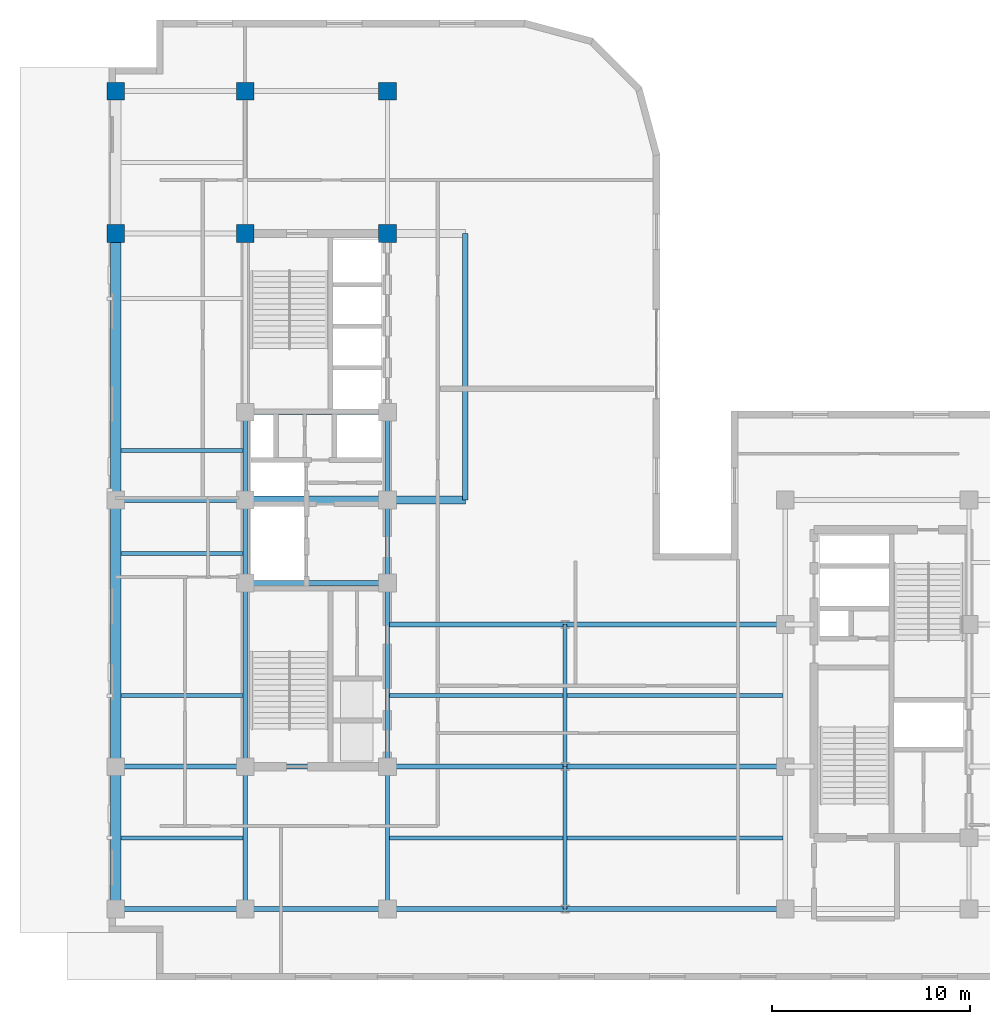
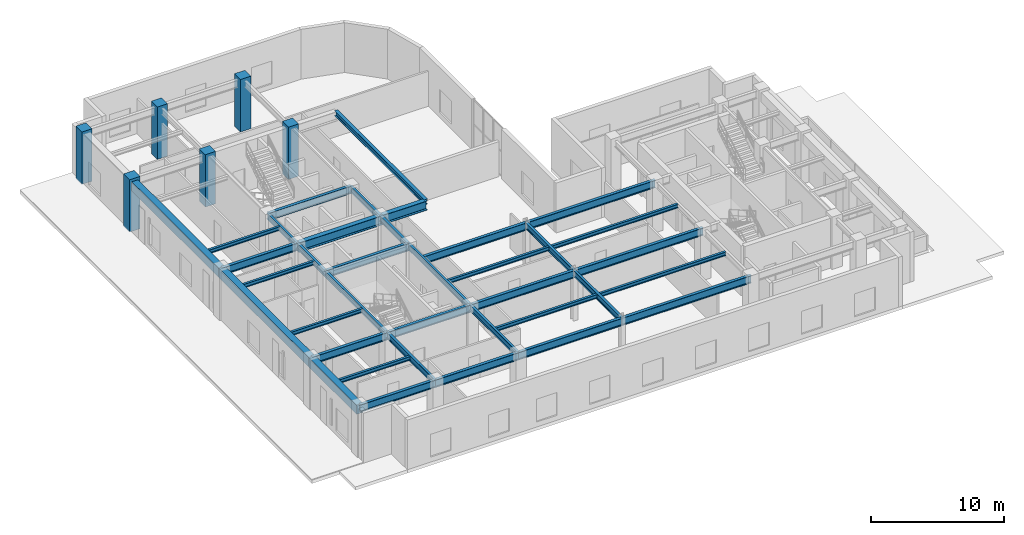
# One storey, part 2 of 16: 36 beams, 6 columns.
"""IFC4 building model written with IfcOpenShell, lengths in metres."""

from ifc_helpers import new_model, entity, si_unit, converted_unit, direction, frame, origin_with_axes, origin_2d_with_axis, place, context, subcontext, project, spatial, rectangle, i_section, extrude, material, material_profile, profile_set, type_object, element, save


model = new_model("IFC4")

# Units and contexts
model_context = context("Model", 3, precision=1e-05, world=origin_with_axes(), true_north=direction((0.0, 1.0)))
body_context = subcontext(model_context, "Body", "Model", "MODEL_VIEW")
ifc_project = project(units=[si_unit("LENGTHUNIT", "METRE"), si_unit("AREAUNIT", "SQUARE_METRE"), si_unit("VOLUMEUNIT", "CUBIC_METRE"), converted_unit("PLANEANGLEUNIT", "DEGREE", entity("IfcPlaneAngleMeasure", 0.017453292519943295), si_unit("PLANEANGLEUNIT", "RADIAN"), dimensions=[0, 0, 0, 0, 0, 0, 0]), si_unit("MASSUNIT", "GRAM", prefix="KILO"), si_unit("THERMODYNAMICTEMPERATUREUNIT", "KELVIN")], contexts=[model_context])

# Site, building, storey
site_placement = place(None, origin_with_axes())
site = spatial("IfcSite", under=ifc_project, at=site_placement, CompositionType="ELEMENT")
building_placement = place(site_placement, origin_with_axes())
building = spatial("IfcBuilding", under=site, at=building_placement, Name="Varnlund Millrace Tower", CompositionType="ELEMENT")
storey_placement = place(building_placement, frame((0.0, 0.0, 219.9), z_axis=(0.0, 0.0, 1.0), x_axis=(1.0, 0.0, 0.0)))
storey = spatial("IfcBuildingStorey", under=building, at=storey_placement, Name="L54", CompositionType="ELEMENT", Elevation=219.9)

# Columns
ifc_material_1 = material(Name="Concrete C70/85", Category="concrete")
ifc_material_profile_1 = material_profile(ifc_material_1, rectangle(XDim=0.9, YDim=0.9, at=origin_2d_with_axis()), Name="Concrete C70/85")
ifc_profile_set_1 = profile_set([ifc_material_profile_1], Name="Concrete C70/85")
column_type = type_object("IfcColumnType", Name="Type-Col-RC900-C70", PredefinedType="COLUMN", material=ifc_profile_set_1)
for number, where, z_axis, x_axis, name in (
    (1, (11.4, 37.8, 0.0), (0.0, 0.0, 1.0), (1.0, 0.0, 0.0), "Type-Col-RC900-C70"),
    (2, (11.4, 45.0, 0.0), (0.0, 0.0, 1.0), (1.0, 0.0, 0.0), "Type-Col-RC900-C70"),
    (3, (18.6, 37.8, 0.0), (0.0, 0.0, 1.0), (1.0, 0.0, 0.0), "Type-Col-RC900-C70"),
    (4, (18.6, 45.0, 0.0), (0.0, 0.0, 1.0), (1.0, 0.0, 0.0), "Type-Col-RC900-C70"),
    (5, (4.85, 37.8, 0.0), (0.0, 0.0, 1.0), (1.0, 0.0, 0.0), "Type-Col-RC900-C70"),
    (6, (4.85, 45.0, 0.0), (0.0, 0.0, 1.0), (1.0, 0.0, 0.0), "Type-Col-RC900-C70"),
):
    element("IfcColumn", number, at=place(storey_placement, frame(where, z_axis=z_axis, x_axis=x_axis)), inside=storey, type_object=column_type, Name=name, PredefinedType="COLUMN", context=body_context, shape_type="SweptSolid", body=[
        extrude(rectangle(XDim=0.9, YDim=0.9, at=origin_2d_with_axis()), origin_with_axes(), (0.0, 0.0, 1.0), 4.8),
    ])

# Beams
ifc_material_2 = material(Name="Steel ASTM A992 Grade 50", Category="steel")
ifc_material_profile_2 = material_profile(ifc_material_2, i_section(OverallWidth=0.28, OverallDepth=0.463, WebThickness=0.0108, FlangeThickness=0.0173, FilletRadius=0.015, at=origin_2d_with_axis()), Name="Steel ASTM A992 Grade 50")
ifc_profile_set_2 = profile_set([ifc_material_profile_2], Name="Steel ASTM A992 Grade 50")
beam_type_1 = type_object("IfcBeamType", Name="Type-Beam-W18X76", PredefinedType="BEAM", material=ifc_profile_set_2)
beam_1_placement = place(storey_placement, frame((22.55, 24.3, 4.3285), z_axis=(0.0, 1.0, 0.0), x_axis=(-1.0, 0.0, 0.0)))
element("IfcBeam", 7, at=beam_1_placement, inside=storey, type_object=beam_type_1, Name="Type-Beam-W18X76", PredefinedType="BEAM", context=body_context, shape_type="SweptSolid", body=[
    extrude(i_section(OverallWidth=0.28, OverallDepth=0.463, WebThickness=0.0108, FlangeThickness=0.0173, FilletRadius=0.015, at=origin_2d_with_axis()), origin_with_axes(), (0.0, 0.0, 1.0), 13.5),
])
ifc_material_profile_3 = material_profile(ifc_material_2, i_section(OverallWidth=0.214, OverallDepth=0.549, WebThickness=0.0147, FlangeThickness=0.0236, FilletRadius=0.015, at=origin_2d_with_axis()), Name="Steel ASTM A992 Grade 50")
ifc_profile_set_3 = profile_set([ifc_material_profile_3], Name="Steel ASTM A992 Grade 50")
beam_type_2 = type_object("IfcBeamType", Name="Type-Beam-W21X93", PredefinedType="BEAM", material=ifc_profile_set_3)
beam_2_placement = place(storey_placement, frame((11.4, 3.6, 4.2855), z_axis=(0.0, 1.0, 0.0), x_axis=(-1.0, 0.0, 0.0)))
element("IfcBeam", 8, at=beam_2_placement, inside=storey, type_object=beam_type_2, Name="Type-Beam-W21X93", PredefinedType="BEAM", context=body_context, shape_type="SweptSolid", body=[
    extrude(i_section(OverallWidth=0.214, OverallDepth=0.549, WebThickness=0.0147, FlangeThickness=0.0236, FilletRadius=0.015, at=origin_2d_with_axis()), origin_with_axes(), (0.0, 0.0, 1.0), 7.2),
])
beam_3_placement = place(storey_placement, frame((11.4, 10.8, 4.2855), z_axis=(0.0, 1.0, 0.0), x_axis=(-1.0, 0.0, 0.0)))
element("IfcBeam", 9, at=beam_3_placement, inside=storey, type_object=beam_type_2, Name="Type-Beam-W21X93", PredefinedType="BEAM", context=body_context, shape_type="SweptSolid", body=[
    extrude(i_section(OverallWidth=0.214, OverallDepth=0.549, WebThickness=0.0147, FlangeThickness=0.0236, FilletRadius=0.015, at=origin_2d_with_axis()), origin_with_axes(), (0.0, 0.0, 1.0), 9.3),
])
beam_4_placement = place(storey_placement, frame((11.4, 20.1, 4.2855), z_axis=(0.0, 1.0, 0.0), x_axis=(-1.0, 0.0, 0.0)))
element("IfcBeam", 10, at=beam_4_placement, inside=storey, type_object=beam_type_2, Name="Type-Beam-W21X93", PredefinedType="BEAM", context=body_context, shape_type="SweptSolid", body=[
    extrude(i_section(OverallWidth=0.214, OverallDepth=0.549, WebThickness=0.0147, FlangeThickness=0.0236, FilletRadius=0.015, at=origin_2d_with_axis()), origin_with_axes(), (0.0, 0.0, 1.0), 4.2),
])
beam_5_placement = place(storey_placement, frame((11.4, 24.3, 4.2855), z_axis=(0.0, 1.0, 0.0), x_axis=(-1.0, 0.0, 0.0)))
element("IfcBeam", 11, at=beam_5_placement, inside=storey, type_object=beam_type_2, Name="Type-Beam-W21X93", PredefinedType="BEAM", context=body_context, shape_type="SweptSolid", body=[
    extrude(i_section(OverallWidth=0.214, OverallDepth=0.549, WebThickness=0.0147, FlangeThickness=0.0236, FilletRadius=0.015, at=origin_2d_with_axis()), origin_with_axes(), (0.0, 0.0, 1.0), 4.45),
])
beam_6_placement = place(storey_placement, frame((18.6, 3.6, 4.2855), z_axis=(0.0, 1.0, 0.0), x_axis=(-1.0, 0.0, 0.0)))
element("IfcBeam", 12, at=beam_6_placement, inside=storey, type_object=beam_type_2, Name="Type-Beam-W21X93", PredefinedType="BEAM", context=body_context, shape_type="SweptSolid", body=[
    extrude(i_section(OverallWidth=0.214, OverallDepth=0.549, WebThickness=0.0147, FlangeThickness=0.0236, FilletRadius=0.015, at=origin_2d_with_axis()), origin_with_axes(), (0.0, 0.0, 1.0), 7.2),
])
beam_7_placement = place(storey_placement, frame((18.6, 10.8, 4.2855), z_axis=(0.0, 1.0, 0.0), x_axis=(-1.0, 0.0, 0.0)))
element("IfcBeam", 13, at=beam_7_placement, inside=storey, type_object=beam_type_2, Name="Type-Beam-W21X93", PredefinedType="BEAM", context=body_context, shape_type="SweptSolid", body=[
    extrude(i_section(OverallWidth=0.214, OverallDepth=0.549, WebThickness=0.0147, FlangeThickness=0.0236, FilletRadius=0.015, at=origin_2d_with_axis()), origin_with_axes(), (0.0, 0.0, 1.0), 9.3),
])
beam_8_placement = place(storey_placement, frame((18.6, 20.1, 4.2855), z_axis=(0.0, 1.0, 0.0), x_axis=(-1.0, 0.0, 0.0)))
element("IfcBeam", 14, at=beam_8_placement, inside=storey, type_object=beam_type_2, Name="Type-Beam-W21X93", PredefinedType="BEAM", context=body_context, shape_type="SweptSolid", body=[
    extrude(i_section(OverallWidth=0.214, OverallDepth=0.549, WebThickness=0.0147, FlangeThickness=0.0236, FilletRadius=0.015, at=origin_2d_with_axis()), origin_with_axes(), (0.0, 0.0, 1.0), 4.2),
])
beam_9_placement = place(storey_placement, frame((18.6, 24.3, 4.2855), z_axis=(0.0, 1.0, 0.0), x_axis=(-1.0, 0.0, 0.0)))
element("IfcBeam", 15, at=beam_9_placement, inside=storey, type_object=beam_type_2, Name="Type-Beam-W21X93", PredefinedType="BEAM", context=body_context, shape_type="SweptSolid", body=[
    extrude(i_section(OverallWidth=0.214, OverallDepth=0.549, WebThickness=0.0147, FlangeThickness=0.0236, FilletRadius=0.015, at=origin_2d_with_axis()), origin_with_axes(), (0.0, 0.0, 1.0), 4.45),
])
for number, where, z_axis, x_axis, name in (
    (16, (27.6, 3.6, 4.2855), (0.0, 1.0, 0.0), (-1.0, 0.0, 0.0), "Type-Beam-W21X93"),
    (17, (27.6, 10.8, 4.2855), (0.0, 1.0, 0.0), (-1.0, 0.0, 0.0), "Type-Beam-W21X93"),
):
    element("IfcBeam", number, at=place(storey_placement, frame(where, z_axis=z_axis, x_axis=x_axis)), inside=storey, type_object=beam_type_2, Name=name, PredefinedType="BEAM", context=body_context, shape_type="SweptSolid", body=[
        extrude(i_section(OverallWidth=0.214, OverallDepth=0.549, WebThickness=0.0147, FlangeThickness=0.0236, FilletRadius=0.015, at=origin_2d_with_axis()), origin_with_axes(), (0.0, 0.0, 1.0), 7.2),
    ])
ifc_material_profile_4 = material_profile(ifc_material_2, i_section(OverallWidth=0.256, OverallDepth=0.693, WebThickness=0.0145, FlangeThickness=0.0236, FilletRadius=0.018, at=origin_2d_with_axis()), Name="Steel ASTM A992 Grade 50")
ifc_profile_set_4 = profile_set([ifc_material_profile_4], Name="Steel ASTM A992 Grade 50")
beam_type_3 = type_object("IfcBeamType", Name="Type-Girder-W27X114", PredefinedType="USERDEFINED", material=ifc_profile_set_4)
beam_10_placement = place(storey_placement, frame((4.85, 3.6, 4.2135), z_axis=(1.0, 0.0, 0.0), x_axis=(0.0, 1.0, 0.0)))
element("IfcBeam", 18, at=beam_10_placement, inside=storey, type_object=beam_type_3, Name="Type-Girder-W27X114", ObjectType="GIRDER", PredefinedType="USERDEFINED", context=body_context, shape_type="SweptSolid", body=[
    extrude(i_section(OverallWidth=0.256, OverallDepth=0.693, WebThickness=0.0145, FlangeThickness=0.0236, FilletRadius=0.018, at=origin_2d_with_axis()), origin_with_axes(), (0.0, 0.0, 1.0), 6.55),
])
beam_11_placement = place(storey_placement, frame((11.4, 3.6, 4.2135), z_axis=(1.0, 0.0, 0.0), x_axis=(0.0, 1.0, 0.0)))
element("IfcBeam", 19, at=beam_11_placement, inside=storey, type_object=beam_type_3, Name="Type-Girder-W27X114", ObjectType="GIRDER", PredefinedType="USERDEFINED", context=body_context, shape_type="SweptSolid", body=[
    extrude(i_section(OverallWidth=0.256, OverallDepth=0.693, WebThickness=0.0145, FlangeThickness=0.0236, FilletRadius=0.018, at=origin_2d_with_axis()), origin_with_axes(), (0.0, 0.0, 1.0), 7.2),
])
beam_12_placement = place(storey_placement, frame((18.6, 3.6, 4.2135), z_axis=(1.0, 0.0, 0.0), x_axis=(0.0, 1.0, 0.0)))
element("IfcBeam", 20, at=beam_12_placement, inside=storey, type_object=beam_type_3, Name="Type-Girder-W27X114", ObjectType="GIRDER", PredefinedType="USERDEFINED", context=body_context, shape_type="SweptSolid", body=[
    extrude(i_section(OverallWidth=0.256, OverallDepth=0.693, WebThickness=0.0145, FlangeThickness=0.0236, FilletRadius=0.018, at=origin_2d_with_axis()), origin_with_axes(), (0.0, 0.0, 1.0), 9.0),
])
beam_13_placement = place(storey_placement, frame((27.6, 3.6, 4.2135), z_axis=(1.0, 0.0, 0.0), x_axis=(0.0, 1.0, 0.0)))
element("IfcBeam", 21, at=beam_13_placement, inside=storey, type_object=beam_type_3, Name="Type-Girder-W27X114", ObjectType="GIRDER", PredefinedType="USERDEFINED", context=body_context, shape_type="SweptSolid", body=[
    extrude(i_section(OverallWidth=0.256, OverallDepth=0.693, WebThickness=0.0145, FlangeThickness=0.0236, FilletRadius=0.018, at=origin_2d_with_axis()), origin_with_axes(), (0.0, 0.0, 1.0), 11.15),
])
beam_14_placement = place(storey_placement, frame((4.85, 10.8, 4.2135), z_axis=(1.0, 0.0, 0.0), x_axis=(0.0, 1.0, 0.0)))
element("IfcBeam", 22, at=beam_14_placement, inside=storey, type_object=beam_type_3, Name="Type-Girder-W27X114", ObjectType="GIRDER", PredefinedType="USERDEFINED", context=body_context, shape_type="SweptSolid", body=[
    extrude(i_section(OverallWidth=0.256, OverallDepth=0.693, WebThickness=0.0145, FlangeThickness=0.0236, FilletRadius=0.018, at=origin_2d_with_axis()), origin_with_axes(), (0.0, 0.0, 1.0), 6.55),
])
beam_15_placement = place(storey_placement, frame((11.4, 10.8, 4.2135), z_axis=(1.0, 0.0, 0.0), x_axis=(0.0, 1.0, 0.0)))
element("IfcBeam", 23, at=beam_15_placement, inside=storey, type_object=beam_type_3, Name="Type-Girder-W27X114", ObjectType="GIRDER", PredefinedType="USERDEFINED", context=body_context, shape_type="SweptSolid", body=[
    extrude(i_section(OverallWidth=0.256, OverallDepth=0.693, WebThickness=0.0145, FlangeThickness=0.0236, FilletRadius=0.018, at=origin_2d_with_axis()), origin_with_axes(), (0.0, 0.0, 1.0), 7.2),
])
beam_16_placement = place(storey_placement, frame((18.6, 10.8, 4.2135), z_axis=(1.0, 0.0, 0.0), x_axis=(0.0, 1.0, 0.0)))
element("IfcBeam", 24, at=beam_16_placement, inside=storey, type_object=beam_type_3, Name="Type-Girder-W27X114", ObjectType="GIRDER", PredefinedType="USERDEFINED", context=body_context, shape_type="SweptSolid", body=[
    extrude(i_section(OverallWidth=0.256, OverallDepth=0.693, WebThickness=0.0145, FlangeThickness=0.0236, FilletRadius=0.018, at=origin_2d_with_axis()), origin_with_axes(), (0.0, 0.0, 1.0), 9.0),
])
beam_17_placement = place(storey_placement, frame((27.6, 10.8, 4.2135), z_axis=(1.0, 0.0, 0.0), x_axis=(0.0, 1.0, 0.0)))
element("IfcBeam", 25, at=beam_17_placement, inside=storey, type_object=beam_type_3, Name="Type-Girder-W27X114", ObjectType="GIRDER", PredefinedType="USERDEFINED", context=body_context, shape_type="SweptSolid", body=[
    extrude(i_section(OverallWidth=0.256, OverallDepth=0.693, WebThickness=0.0145, FlangeThickness=0.0236, FilletRadius=0.018, at=origin_2d_with_axis()), origin_with_axes(), (0.0, 0.0, 1.0), 11.15),
])
beam_18_placement = place(storey_placement, frame((18.6, 18.0, 4.2135), z_axis=(1.0, 0.0, 0.0), x_axis=(0.0, 1.0, 0.0)))
element("IfcBeam", 26, at=beam_18_placement, inside=storey, type_object=beam_type_3, Name="Type-Girder-W27X114", ObjectType="GIRDER", PredefinedType="USERDEFINED", context=body_context, shape_type="SweptSolid", body=[
    extrude(i_section(OverallWidth=0.256, OverallDepth=0.693, WebThickness=0.0145, FlangeThickness=0.0236, FilletRadius=0.018, at=origin_2d_with_axis()), origin_with_axes(), (0.0, 0.0, 1.0), 9.0),
])
beam_19_placement = place(storey_placement, frame((27.6, 18.0, 4.2135), z_axis=(1.0, 0.0, 0.0), x_axis=(0.0, 1.0, 0.0)))
element("IfcBeam", 27, at=beam_19_placement, inside=storey, type_object=beam_type_3, Name="Type-Girder-W27X114", ObjectType="GIRDER", PredefinedType="USERDEFINED", context=body_context, shape_type="SweptSolid", body=[
    extrude(i_section(OverallWidth=0.256, OverallDepth=0.693, WebThickness=0.0145, FlangeThickness=0.0236, FilletRadius=0.018, at=origin_2d_with_axis()), origin_with_axes(), (0.0, 0.0, 1.0), 11.15),
])
beam_20_placement = place(storey_placement, frame((11.4, 20.1, 4.2135), z_axis=(1.0, 0.0, 0.0), x_axis=(0.0, 1.0, 0.0)))
element("IfcBeam", 28, at=beam_20_placement, inside=storey, type_object=beam_type_3, Name="Type-Girder-W27X114", ObjectType="GIRDER", PredefinedType="USERDEFINED", context=body_context, shape_type="SweptSolid", body=[
    extrude(i_section(OverallWidth=0.256, OverallDepth=0.693, WebThickness=0.0145, FlangeThickness=0.0236, FilletRadius=0.018, at=origin_2d_with_axis()), origin_with_axes(), (0.0, 0.0, 1.0), 7.2),
])
beam_21_placement = place(storey_placement, frame((4.85, 24.3, 4.2135), z_axis=(1.0, 0.0, 0.0), x_axis=(0.0, 1.0, 0.0)))
element("IfcBeam", 29, at=beam_21_placement, inside=storey, type_object=beam_type_3, Name="Type-Girder-W27X114", ObjectType="GIRDER", PredefinedType="USERDEFINED", context=body_context, shape_type="SweptSolid", body=[
    extrude(i_section(OverallWidth=0.256, OverallDepth=0.693, WebThickness=0.0145, FlangeThickness=0.0236, FilletRadius=0.018, at=origin_2d_with_axis()), origin_with_axes(), (0.0, 0.0, 1.0), 6.55),
])
beam_22_placement = place(storey_placement, frame((11.4, 28.75, 4.2135), z_axis=(1.0, 0.0, 0.0), x_axis=(0.0, 1.0, 0.0)))
element("IfcBeam", 30, at=beam_22_placement, inside=storey, type_object=beam_type_3, Name="Type-Girder-W27X114", ObjectType="GIRDER", PredefinedType="USERDEFINED", context=body_context, shape_type="SweptSolid", body=[
    extrude(i_section(OverallWidth=0.256, OverallDepth=0.693, WebThickness=0.0145, FlangeThickness=0.0236, FilletRadius=0.018, at=origin_2d_with_axis()), origin_with_axes(), (0.0, 0.0, 1.0), 7.2),
])
ifc_material_profile_5 = material_profile(ifc_material_2, i_section(OverallWidth=0.399, OverallDepth=0.855, WebThickness=0.0182, FlangeThickness=0.0292, FilletRadius=0.022, at=origin_2d_with_axis()), Name="Steel ASTM A992 Grade 50")
ifc_profile_set_5 = profile_set([ifc_material_profile_5], Name="Steel ASTM A992 Grade 50")
beam_type_4 = type_object("IfcBeamType", Name="Type-Girder-W33X201", PredefinedType="USERDEFINED", material=ifc_profile_set_5)
beam_23_placement = place(storey_placement, frame((11.4, 24.3, 4.1325), z_axis=(1.0, 0.0, 0.0), x_axis=(0.0, 1.0, 0.0)))
element("IfcBeam", 31, at=beam_23_placement, inside=storey, type_object=beam_type_4, Name="Type-Girder-W33X201", ObjectType="GIRDER", PredefinedType="USERDEFINED", context=body_context, shape_type="SweptSolid", body=[
    extrude(i_section(OverallWidth=0.399, OverallDepth=0.855, WebThickness=0.0182, FlangeThickness=0.0292, FilletRadius=0.022, at=origin_2d_with_axis()), origin_with_axes(), (0.0, 0.0, 1.0), 11.15),
])
ifc_material_profile_6 = material_profile(ifc_material_2, i_section(OverallWidth=0.204, OverallDepth=0.35, WebThickness=0.0086, FlangeThickness=0.0151, FilletRadius=0.013, at=origin_2d_with_axis()), Name="Steel ASTM A992 Grade 50")
ifc_profile_set_6 = profile_set([ifc_material_profile_6], Name="Steel ASTM A992 Grade 50")
beam_type_5 = type_object("IfcBeamType", Name="Type-Joist-W14X48", PredefinedType="JOIST", material=ifc_profile_set_6)
for number, where, z_axis, x_axis, name in (
    (32, (5.125, 7.2, 4.385), (1.0, 0.0, 0.0), (0.0, 1.0, 0.0), "Type-Joist-W14X48"),
    (33, (5.125, 14.4, 4.385), (1.0, 0.0, 0.0), (0.0, 1.0, 0.0), "Type-Joist-W14X48"),
    (34, (5.125, 21.6, 4.385), (1.0, 0.0, 0.0), (0.0, 1.0, 0.0), "Type-Joist-W14X48"),
    (35, (5.125, 26.8, 4.385), (1.0, 0.0, 0.0), (0.0, 1.0, 0.0), "Type-Joist-W14X48"),
):
    element("IfcBeam", number, at=place(storey_placement, frame(where, z_axis=z_axis, x_axis=x_axis)), inside=storey, type_object=beam_type_5, Name=name, PredefinedType="JOIST", context=body_context, shape_type="SweptSolid", body=[
        extrude(i_section(OverallWidth=0.204, OverallDepth=0.35, WebThickness=0.0086, FlangeThickness=0.0151, FilletRadius=0.013, at=origin_2d_with_axis()), origin_with_axes(), (0.0, 0.0, 1.0), 6.168),
    ])
for number, where, z_axis, x_axis, name in (
    (36, (18.707, 7.2, 4.385), (1.0, 0.0, 0.0), (0.0, 1.0, 0.0), "Type-Joist-W14X48"),
    (37, (18.707, 14.4, 4.385), (1.0, 0.0, 0.0), (0.0, 1.0, 0.0), "Type-Joist-W14X48"),
):
    element("IfcBeam", number, at=place(storey_placement, frame(where, z_axis=z_axis, x_axis=x_axis)), inside=storey, type_object=beam_type_5, Name=name, PredefinedType="JOIST", context=body_context, shape_type="SweptSolid", body=[
        extrude(i_section(OverallWidth=0.204, OverallDepth=0.35, WebThickness=0.0086, FlangeThickness=0.0151, FilletRadius=0.013, at=origin_2d_with_axis()), origin_with_axes(), (0.0, 0.0, 1.0), 8.786),
    ])
for number, where, z_axis, x_axis, name in (
    (38, (27.707, 7.2, 4.385), (1.0, 0.0, 0.0), (0.0, 1.0, 0.0), "Type-Joist-W14X48"),
    (39, (27.707, 14.4, 4.385), (1.0, 0.0, 0.0), (0.0, 1.0, 0.0), "Type-Joist-W14X48"),
):
    element("IfcBeam", number, at=place(storey_placement, frame(where, z_axis=z_axis, x_axis=x_axis)), inside=storey, type_object=beam_type_5, Name=name, PredefinedType="JOIST", context=body_context, shape_type="SweptSolid", body=[
        extrude(i_section(OverallWidth=0.204, OverallDepth=0.35, WebThickness=0.0086, FlangeThickness=0.0151, FilletRadius=0.013, at=origin_2d_with_axis()), origin_with_axes(), (0.0, 0.0, 1.0), 10.936),
    ])
ifc_material_3 = material(Name="Concrete C60/75", Category="concrete")
ifc_material_profile_7 = material_profile(ifc_material_3, rectangle(XDim=0.55, YDim=0.85, at=origin_2d_with_axis()), Name="Concrete C60/75")
ifc_profile_set_7 = profile_set([ifc_material_profile_7], Name="Concrete C60/75")
beam_type_6 = type_object("IfcBeamType", Name="Type-Spandrel-RC550X850", PredefinedType="SPANDREL", material=ifc_profile_set_7)
beam_24_placement = place(storey_placement, frame((4.85, 3.6, 4.135), z_axis=(0.0, 1.0, 0.0), x_axis=(-1.0, 0.0, 0.0)))
element("IfcBeam", 40, at=beam_24_placement, inside=storey, type_object=beam_type_6, Name="Type-Spandrel-RC550X850", PredefinedType="SPANDREL", context=body_context, shape_type="SweptSolid", body=[
    extrude(rectangle(XDim=0.55, YDim=0.85, at=origin_2d_with_axis()), origin_with_axes(), (0.0, 0.0, 1.0), 7.2),
])
for number, where, z_axis, x_axis, name in (
    (41, (4.85, 10.8, 4.135), (0.0, 1.0, 0.0), (-1.0, 0.0, 0.0), "Type-Spandrel-RC550X850"),
    (42, (4.85, 24.3, 4.135), (0.0, 1.0, 0.0), (-1.0, 0.0, 0.0), "Type-Spandrel-RC550X850"),
):
    element("IfcBeam", number, at=place(storey_placement, frame(where, z_axis=z_axis, x_axis=x_axis)), inside=storey, type_object=beam_type_6, Name=name, PredefinedType="SPANDREL", context=body_context, shape_type="SweptSolid", body=[
        extrude(rectangle(XDim=0.55, YDim=0.85, at=origin_2d_with_axis()), origin_with_axes(), (0.0, 0.0, 1.0), 13.5),
    ])

save(model, "model.ifc")
